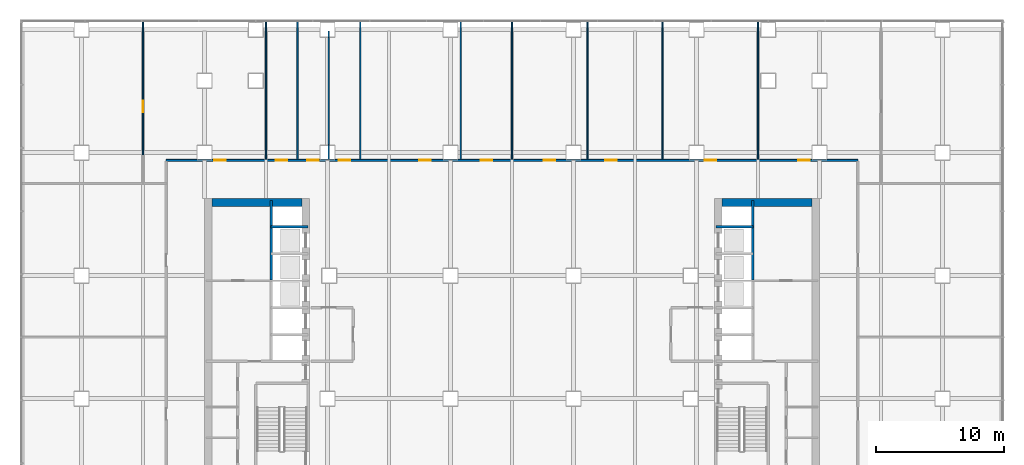
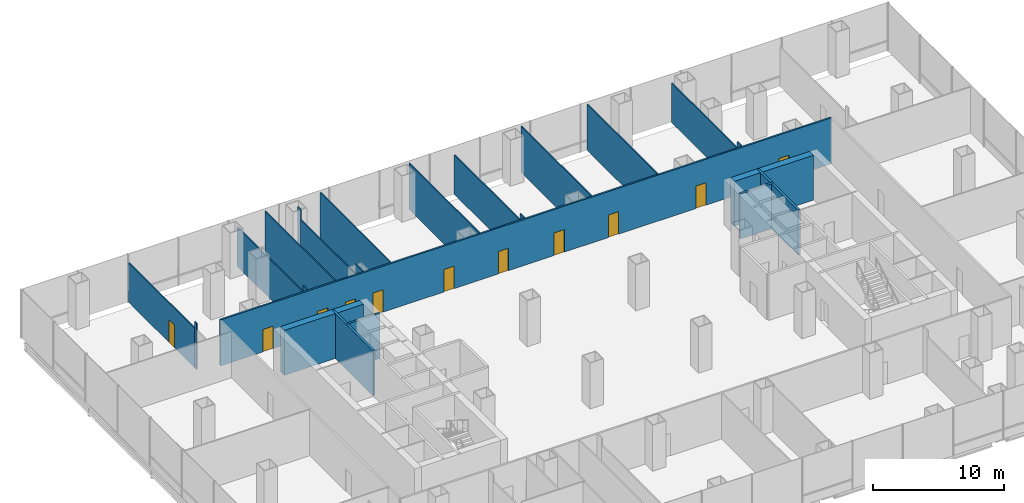
# One storey, part 19 of 23: 23 walls, 11 doors, 11 openings.
"""IFC4 building model written with IfcOpenShell, lengths in metres."""

from ifc_helpers import new_model, si_unit, direction, frame, frame_2d, origin, place, context, subcontext, project, spatial, rectangle, extrude, material, layer, layer_set, type_object, element, fill, save


model = new_model("IFC4")

# Units and contexts
model_context = context("Model", 3, precision=1e-05, world=origin(), true_north=direction((0.0, 1.0)))
body_context = subcontext(model_context, "Body", "Model", "MODEL_VIEW")
ifc_project = project(units=[si_unit("LENGTHUNIT", "METRE"), si_unit("AREAUNIT", "SQUARE_METRE"), si_unit("VOLUMEUNIT", "CUBIC_METRE"), si_unit("PLANEANGLEUNIT", "RADIAN"), si_unit("MASSUNIT", "GRAM", prefix="KILO")], contexts=[model_context])

# Site, building, storey
site_placement = place(None, origin())
site = spatial("IfcSite", under=ifc_project, at=site_placement, CompositionType="ELEMENT")
building_placement = place(site_placement, origin())
building = spatial("IfcBuilding", under=site, at=building_placement, Name="Cobrizo Arcos Hotel Tower", CompositionType="ELEMENT")
storey_placement = place(building_placement, frame((0.0, 0.0, 20.0)))
storey = spatial("IfcBuildingStorey", under=building, at=storey_placement, Name="L03", CompositionType="ELEMENT", Elevation=20.0)

# Wall, openings, doors
ifc_material_1 = material(Name="Gypsum board partition")
ifc_layer_1 = layer(ifc_material_1, 0.14990234375)
ifc_layer_set_1 = layer_set([ifc_layer_1], Name="Corridor wall EI 60 150")
wall_type_1 = type_object("IfcWallType", Name="Corridor wall EI 60 150", PredefinedType="PARTITIONING", material=ifc_layer_set_1)
wall_1_placement = place(storey_placement, frame((-27.0, 13.800048828125, 0.0), z_axis=(0.0, 0.0, 1.0), x_axis=(1.0, 0.0, 0.0)))
wall_1 = element("IfcWall", 1, at=wall_1_placement, inside=storey, type_object=wall_type_1, Name="Partition 031", PredefinedType="PARTITIONING", context=body_context, shape_type="SweptSolid", body=[
    extrude(rectangle(XDim=54.0, YDim=0.14990234375, at=frame_2d((27.0, 0.0))), origin(), (0.0, 0.0, 1.0), 4.300048828125),
])
opening_1_placement = place(wall_1_placement, frame((8.575927734375, 0.0, 0.0)))
opening_1 = element("IfcOpeningElement", 2, at=opening_1_placement, cuts=wall_1, Name="Opening RD-12", PredefinedType="OPENING", context=body_context, shape_type="SweptSolid", body=[
    extrude(rectangle(XDim=0.89990234375, YDim=2.10009765625, at=frame_2d((0.449951171875, 1.050048828125))), frame((0.0, 0.0869140625, 0.0), z_axis=(0.0, -1.0, 0.0), x_axis=(1.0, 0.0, 0.0)), (0.0, 0.0, 1.0), 0.173828125),
])
opening_2_placement = place(wall_1_placement, frame((11.027099609375, 0.0, 0.0)))
opening_2 = element("IfcOpeningElement", 3, at=opening_2_placement, cuts=wall_1, Name="Opening RD-13", PredefinedType="OPENING", context=body_context, shape_type="SweptSolid", body=[
    extrude(rectangle(XDim=0.89990234375, YDim=2.10009765625, at=frame_2d((0.449951171875, 1.050048828125))), frame((0.0, 0.0869140625, 0.0), z_axis=(0.0, -1.0, 0.0), x_axis=(1.0, 0.0, 0.0)), (0.0, 0.0, 1.0), 0.173828125),
])
opening_3_placement = place(wall_1_placement, frame((13.47802734375, 0.0, 0.0)))
opening_3 = element("IfcOpeningElement", 4, at=opening_3_placement, cuts=wall_1, Name="Opening RD-14", PredefinedType="OPENING", context=body_context, shape_type="SweptSolid", body=[
    extrude(rectangle(XDim=0.89990234375, YDim=2.10009765625, at=frame_2d((0.449951171875, 1.050048828125))), frame((0.0, 0.0869140625, 0.0), z_axis=(0.0, -1.0, 0.0), x_axis=(1.0, 0.0, 0.0)), (0.0, 0.0, 1.0), 0.173828125),
])
opening_4_placement = place(wall_1_placement, frame((19.748046875, 0.0, 0.0)))
opening_4 = element("IfcOpeningElement", 5, at=opening_4_placement, cuts=wall_1, Name="Opening RD-15", PredefinedType="OPENING", context=body_context, shape_type="SweptSolid", body=[
    extrude(rectangle(XDim=0.89990234375, YDim=2.10009765625, at=frame_2d((0.449951171875, 1.050048828125))), frame((0.0, 0.0869140625, 0.0), z_axis=(0.0, -1.0, 0.0), x_axis=(1.0, 0.0, 0.0)), (0.0, 0.0, 1.0), 0.173828125),
])
opening_5_placement = place(wall_1_placement, frame((29.490966796875, 0.0, 0.0)))
opening_5 = element("IfcOpeningElement", 6, at=opening_5_placement, cuts=wall_1, Name="Opening RD-16", PredefinedType="OPENING", context=body_context, shape_type="SweptSolid", body=[
    extrude(rectangle(XDim=0.89990234375, YDim=2.10009765625, at=frame_2d((0.449951171875, 1.050048828125))), frame((0.0, 0.0869140625, 0.0), z_axis=(0.0, -1.0, 0.0), x_axis=(1.0, 0.0, 0.0)), (0.0, 0.0, 1.0), 0.173828125),
])
opening_6_placement = place(wall_1_placement, frame((34.291015625, 0.0, 0.0)))
opening_6 = element("IfcOpeningElement", 7, at=opening_6_placement, cuts=wall_1, Name="Opening RD-17", PredefinedType="OPENING", context=body_context, shape_type="SweptSolid", body=[
    extrude(rectangle(XDim=0.89990234375, YDim=2.10009765625, at=frame_2d((0.449951171875, 1.050048828125))), frame((0.0, 0.0869140625, 0.0), z_axis=(0.0, -1.0, 0.0), x_axis=(1.0, 0.0, 0.0)), (0.0, 0.0, 1.0), 0.173828125),
])
opening_7_placement = place(wall_1_placement, frame((42.031982421875, 0.0, 0.0)))
opening_7 = element("IfcOpeningElement", 8, at=opening_7_placement, cuts=wall_1, Name="Opening RD-18", PredefinedType="OPENING", context=body_context, shape_type="SweptSolid", body=[
    extrude(rectangle(XDim=0.89990234375, YDim=2.10009765625, at=frame_2d((0.449951171875, 1.050048828125))), frame((0.0, 0.0869140625, 0.0), z_axis=(0.0, -1.0, 0.0), x_axis=(1.0, 0.0, 0.0)), (0.0, 0.0, 1.0), 0.173828125),
])
opening_8_placement = place(wall_1_placement, frame((24.548095703125, 0.0, 0.0)))
opening_8 = element("IfcOpeningElement", 9, at=opening_8_placement, cuts=wall_1, Name="Opening RD-20", PredefinedType="OPENING", context=body_context, shape_type="SweptSolid", body=[
    extrude(rectangle(XDim=0.89990234375, YDim=2.10009765625, at=frame_2d((0.449951171875, 1.050048828125))), frame((0.0, 0.0869140625, 0.0), z_axis=(0.0, -1.0, 0.0), x_axis=(1.0, 0.0, 0.0)), (0.0, 0.0, 1.0), 0.173828125),
])
opening_9_placement = place(wall_1_placement, frame((3.75, 0.0, 0.0)))
opening_9 = element("IfcOpeningElement", 10, at=opening_9_placement, cuts=wall_1, Name="Opening RD-25", PredefinedType="OPENING", context=body_context, shape_type="SweptSolid", body=[
    extrude(rectangle(XDim=0.89990234375, YDim=2.10009765625, at=frame_2d((0.449951171875, 1.050048828125))), frame((0.0, 0.0869140625, 0.0), z_axis=(0.0, -1.0, 0.0), x_axis=(1.0, 0.0, 0.0)), (0.0, 0.0, 1.0), 0.173828125),
])
opening_10_placement = place(wall_1_placement, frame((49.35009765625, 0.0, 0.0)))
opening_10 = element("IfcOpeningElement", 11, at=opening_10_placement, cuts=wall_1, Name="Opening RD-29", PredefinedType="OPENING", context=body_context, shape_type="SweptSolid", body=[
    extrude(rectangle(XDim=0.89990234375, YDim=2.10009765625, at=frame_2d((0.449951171875, 1.050048828125))), frame((0.0, 0.0869140625, 0.0), z_axis=(0.0, -1.0, 0.0), x_axis=(1.0, 0.0, 0.0)), (0.0, 0.0, 1.0), 0.173828125),
])
ifc_material_2 = material(Name="Timber door leaf", Category="wood")
door_type = type_object("IfcDoorType", Name="Room door FD30 900x2100", OperationType="SINGLE_SWING_LEFT", PredefinedType="DOOR", material=ifc_material_2)
door_1_placement = place(opening_1_placement, origin())
door_1 = element("IfcDoor", 12, at=door_1_placement, inside=storey, type_object=door_type, Name="Door RD-12", OperationType="SINGLE_SWING_LEFT", OverallHeight=2.10009765625, OverallWidth=0.89990234375, PredefinedType="DOOR", context=body_context, shape_type="SweptSolid", body=[
    extrude(rectangle(XDim=0.89990234375, YDim=2.10009765625, at=frame_2d((0.449951171875, 1.050048828125))), frame((0.0, 0.02490234375, 0.0), z_axis=(0.0, -1.0, 0.0), x_axis=(1.0, 0.0, 0.0)), (0.0, 0.0, 1.0), 0.050048828125),
])
fill(opening_1, door_1)
door_2_placement = place(opening_2_placement, origin())
door_2 = element("IfcDoor", 13, at=door_2_placement, inside=storey, type_object=door_type, Name="Door RD-13", OperationType="SINGLE_SWING_LEFT", OverallHeight=2.10009765625, OverallWidth=0.89990234375, PredefinedType="DOOR", context=body_context, shape_type="SweptSolid", body=[
    extrude(rectangle(XDim=0.89990234375, YDim=2.10009765625, at=frame_2d((0.449951171875, 1.050048828125))), frame((0.0, 0.02490234375, 0.0), z_axis=(0.0, -1.0, 0.0), x_axis=(1.0, 0.0, 0.0)), (0.0, 0.0, 1.0), 0.050048828125),
])
fill(opening_2, door_2)
door_3_placement = place(opening_3_placement, origin())
door_3 = element("IfcDoor", 14, at=door_3_placement, inside=storey, type_object=door_type, Name="Door RD-14", OperationType="SINGLE_SWING_LEFT", OverallHeight=2.10009765625, OverallWidth=0.89990234375, PredefinedType="DOOR", context=body_context, shape_type="SweptSolid", body=[
    extrude(rectangle(XDim=0.89990234375, YDim=2.10009765625, at=frame_2d((0.449951171875, 1.050048828125))), frame((0.0, 0.02490234375, 0.0), z_axis=(0.0, -1.0, 0.0), x_axis=(1.0, 0.0, 0.0)), (0.0, 0.0, 1.0), 0.050048828125),
])
fill(opening_3, door_3)
door_4_placement = place(opening_4_placement, origin())
door_4 = element("IfcDoor", 15, at=door_4_placement, inside=storey, type_object=door_type, Name="Door RD-15", OperationType="SINGLE_SWING_RIGHT", OverallHeight=2.10009765625, OverallWidth=0.89990234375, PredefinedType="DOOR", context=body_context, shape_type="SweptSolid", body=[
    extrude(rectangle(XDim=0.89990234375, YDim=2.10009765625, at=frame_2d((0.449951171875, 1.050048828125))), frame((0.0, 0.02490234375, 0.0), z_axis=(0.0, -1.0, 0.0), x_axis=(1.0, 0.0, 0.0)), (0.0, 0.0, 1.0), 0.050048828125),
])
fill(opening_4, door_4)
door_5_placement = place(opening_5_placement, origin())
door_5 = element("IfcDoor", 16, at=door_5_placement, inside=storey, type_object=door_type, Name="Door RD-16", OperationType="SINGLE_SWING_LEFT", OverallHeight=2.10009765625, OverallWidth=0.89990234375, PredefinedType="DOOR", context=body_context, shape_type="SweptSolid", body=[
    extrude(rectangle(XDim=0.89990234375, YDim=2.10009765625, at=frame_2d((0.449951171875, 1.050048828125))), frame((0.0, 0.02490234375, 0.0), z_axis=(0.0, -1.0, 0.0), x_axis=(1.0, 0.0, 0.0)), (0.0, 0.0, 1.0), 0.050048828125),
])
fill(opening_5, door_5)
door_6_placement = place(opening_6_placement, origin())
door_6 = element("IfcDoor", 17, at=door_6_placement, inside=storey, type_object=door_type, Name="Door RD-17", OperationType="SINGLE_SWING_LEFT", OverallHeight=2.10009765625, OverallWidth=0.89990234375, PredefinedType="DOOR", context=body_context, shape_type="SweptSolid", body=[
    extrude(rectangle(XDim=0.89990234375, YDim=2.10009765625, at=frame_2d((0.449951171875, 1.050048828125))), frame((0.0, 0.02490234375, 0.0), z_axis=(0.0, -1.0, 0.0), x_axis=(1.0, 0.0, 0.0)), (0.0, 0.0, 1.0), 0.050048828125),
])
fill(opening_6, door_6)
door_7_placement = place(opening_7_placement, origin())
door_7 = element("IfcDoor", 18, at=door_7_placement, inside=storey, type_object=door_type, Name="Door RD-18", OperationType="SINGLE_SWING_RIGHT", OverallHeight=2.10009765625, OverallWidth=0.89990234375, PredefinedType="DOOR", context=body_context, shape_type="SweptSolid", body=[
    extrude(rectangle(XDim=0.89990234375, YDim=2.10009765625, at=frame_2d((0.449951171875, 1.050048828125))), frame((0.0, 0.02490234375, 0.0), z_axis=(0.0, -1.0, 0.0), x_axis=(1.0, 0.0, 0.0)), (0.0, 0.0, 1.0), 0.050048828125),
])
fill(opening_7, door_7)
door_8_placement = place(opening_8_placement, origin())
door_8 = element("IfcDoor", 19, at=door_8_placement, inside=storey, type_object=door_type, Name="Door RD-20", OperationType="SINGLE_SWING_RIGHT", OverallHeight=2.10009765625, OverallWidth=0.89990234375, PredefinedType="DOOR", context=body_context, shape_type="SweptSolid", body=[
    extrude(rectangle(XDim=0.89990234375, YDim=2.10009765625, at=frame_2d((0.449951171875, 1.050048828125))), frame((0.0, 0.02490234375, 0.0), z_axis=(0.0, -1.0, 0.0), x_axis=(1.0, 0.0, 0.0)), (0.0, 0.0, 1.0), 0.050048828125),
])
fill(opening_8, door_8)
door_9_placement = place(opening_9_placement, origin())
door_9 = element("IfcDoor", 20, at=door_9_placement, inside=storey, type_object=door_type, Name="Door RD-25", OperationType="SINGLE_SWING_LEFT", OverallHeight=2.10009765625, OverallWidth=0.89990234375, PredefinedType="DOOR", context=body_context, shape_type="SweptSolid", body=[
    extrude(rectangle(XDim=0.89990234375, YDim=2.10009765625, at=frame_2d((0.449951171875, 1.050048828125))), frame((0.0, 0.02490234375, 0.0), z_axis=(0.0, -1.0, 0.0), x_axis=(1.0, 0.0, 0.0)), (0.0, 0.0, 1.0), 0.050048828125),
])
fill(opening_9, door_9)
door_10_placement = place(opening_10_placement, origin())
door_10 = element("IfcDoor", 21, at=door_10_placement, inside=storey, type_object=door_type, Name="Door RD-29", OperationType="SINGLE_SWING_LEFT", OverallHeight=2.10009765625, OverallWidth=0.89990234375, PredefinedType="DOOR", context=body_context, shape_type="SweptSolid", body=[
    extrude(rectangle(XDim=0.89990234375, YDim=2.10009765625, at=frame_2d((0.449951171875, 1.050048828125))), frame((0.0, 0.02490234375, 0.0), z_axis=(0.0, -1.0, 0.0), x_axis=(1.0, 0.0, 0.0)), (0.0, 0.0, 1.0), 0.050048828125),
])
fill(opening_10, door_10)

# Wall
ifc_layer_2 = layer(ifc_material_1, 0.10009765625)
ifc_layer_set_2 = layer_set([ifc_layer_2], Name="Partition EI 30 100")
wall_type_2 = type_object("IfcWallType", Name="Partition EI 30 100", PredefinedType="PARTITIONING", material=ifc_layer_set_2)
wall_2_placement = place(storey_placement, frame((-28.800048828125, 14.24609375, 0.0), z_axis=(0.0, 0.0, 1.0), x_axis=(0.0, 1.0, 0.0)))
element("IfcWall", 22, at=wall_2_placement, inside=storey, type_object=wall_type_2, Name="Partition 036", PredefinedType="PARTITIONING", context=body_context, shape_type="SweptSolid", body=[
    extrude(rectangle(XDim=0.307861328125, YDim=0.10009765625, at=frame_2d((0.15380859375, 0.0))), origin(), (0.0, 0.0, 1.0), 4.300048828125),
])

# Wall, opening, door
wall_3_placement = place(storey_placement, frame((-28.800048828125, 14.5537109375, 0.0), z_axis=(0.0, 0.0, 1.0), x_axis=(0.0, 1.0, 0.0)))
wall_3 = element("IfcWall", 23, at=wall_3_placement, inside=storey, type_object=wall_type_2, Name="Partition 037", PredefinedType="PARTITIONING", context=body_context, shape_type="SweptSolid", body=[
    extrude(rectangle(XDim=10.076171875, YDim=0.10009765625, at=frame_2d((5.0380859375, 0.0))), origin(), (0.0, 0.0, 1.0), 3.68310546875),
])
opening_11_placement = place(wall_3_placement, frame((2.99609375, 0.0, 0.0)))
opening_11 = element("IfcOpeningElement", 24, at=opening_11_placement, cuts=wall_3, Name="Opening RD-33", PredefinedType="OPENING", context=body_context, shape_type="SweptSolid", body=[
    extrude(rectangle(XDim=0.89990234375, YDim=2.10009765625, at=frame_2d((0.449951171875, 1.050048828125))), frame((0.0, 0.06201171875, 0.0), z_axis=(0.0, -1.0, 0.0), x_axis=(1.0, 0.0, 0.0)), (0.0, 0.0, 1.0), 0.1240234375),
])
door_11_placement = place(opening_11_placement, origin())
door_11 = element("IfcDoor", 25, at=door_11_placement, inside=storey, type_object=door_type, Name="Door RD-33", OperationType="SINGLE_SWING_RIGHT", OverallHeight=2.10009765625, OverallWidth=0.89990234375, PredefinedType="DOOR", context=body_context, shape_type="SweptSolid", body=[
    extrude(rectangle(XDim=0.89990234375, YDim=2.10009765625, at=frame_2d((0.449951171875, 1.050048828125))), frame((0.0, 0.02490234375, 0.0), z_axis=(0.0, -1.0, 0.0), x_axis=(1.0, 0.0, 0.0)), (0.0, 0.0, 1.0), 0.050048828125),
])
fill(opening_11, door_11)

# Walls
wall_4_placement = place(storey_placement, frame((-19.199951171875, 13.875, 0.0), z_axis=(0.0, 0.0, 1.0), x_axis=(0.0, 1.0, 0.0)))
element("IfcWall", 26, at=wall_4_placement, inside=storey, type_object=wall_type_2, Name="Partition 043", PredefinedType="PARTITIONING", context=body_context, shape_type="SweptSolid", body=[
    extrude(rectangle(XDim=0.678955078125, YDim=0.10009765625, at=frame_2d((0.33935546875, 0.0))), origin(), (0.0, 0.0, 1.0), 4.300048828125),
])
wall_5_placement = place(storey_placement, frame((-19.199951171875, 14.5537109375, 0.0), z_axis=(0.0, 0.0, 1.0), x_axis=(0.0, 1.0, 0.0)))
element("IfcWall", 27, at=wall_5_placement, inside=storey, type_object=wall_type_2, Name="Partition 044", PredefinedType="PARTITIONING", context=body_context, shape_type="SweptSolid", body=[
    extrude(rectangle(XDim=10.076171875, YDim=0.10009765625, at=frame_2d((5.0380859375, 0.0))), origin(), (0.0, 0.0, 1.0), 3.68310546875),
])
wall_6_placement = place(storey_placement, frame((-16.75, 13.875, 0.0), z_axis=(0.0, 0.0, 1.0), x_axis=(0.0, 1.0, 0.0)))
element("IfcWall", 28, at=wall_6_placement, inside=storey, type_object=wall_type_2, Name="Partition 047", PredefinedType="PARTITIONING", context=body_context, shape_type="SweptSolid", body=[
    extrude(rectangle(XDim=10.7548828125, YDim=0.10009765625, at=frame_2d((5.37744140625, 0.0))), origin(), (0.0, 0.0, 1.0), 4.300048828125),
])
wall_7_placement = place(storey_placement, frame((-14.300048828125, 13.875, 0.0), z_axis=(0.0, 0.0, 1.0), x_axis=(0.0, 1.0, 0.0)))
element("IfcWall", 29, at=wall_7_placement, inside=storey, type_object=wall_type_2, Name="Partition 049", PredefinedType="PARTITIONING", context=body_context, shape_type="SweptSolid", body=[
    extrude(rectangle(XDim=1.125, YDim=0.10009765625, at=frame_2d((0.5625, 0.0))), origin(), (0.0, 0.0, 1.0), 4.300048828125),
])
wall_8_placement = place(storey_placement, frame((-14.300048828125, 15.0, 0.0), z_axis=(0.0, 0.0, 1.0), x_axis=(0.0, 1.0, 0.0)))
element("IfcWall", 30, at=wall_8_placement, inside=storey, type_object=wall_type_2, Name="Partition 050", PredefinedType="PARTITIONING", context=body_context, shape_type="SweptSolid", body=[
    extrude(rectangle(XDim=8.39990234375, YDim=0.10009765625, at=frame_2d((4.199951171875, 0.0))), origin(), (0.0, 0.0, 1.0), 3.373046875),
])
wall_9_placement = place(storey_placement, frame((-14.300048828125, 23.39990234375, 0.0), z_axis=(0.0, 0.0, 1.0), x_axis=(0.0, 1.0, 0.0)))
element("IfcWall", 31, at=wall_9_placement, inside=storey, type_object=wall_type_2, Name="Partition 051", PredefinedType="PARTITIONING", context=body_context, shape_type="SweptSolid", body=[
    extrude(rectangle(XDim=0.47998046875, YDim=0.10009765625, at=frame_2d((0.239990234375, 0.0))), origin(), (0.0, 0.0, 1.0), 4.300048828125),
])
for number, where, z_axis, x_axis, name in (
    (32, (-11.85009765625, 13.875, 0.0), (0.0, 0.0, 1.0), (0.0, 1.0, 0.0), "Partition 055"),
    (33, (-4.0, 13.875, 0.0), (0.0, 0.0, 1.0), (0.0, 1.0, 0.0), "Partition 059"),
):
    element("IfcWall", number, at=place(storey_placement, frame(where, z_axis=z_axis, x_axis=x_axis)), inside=storey, type_object=wall_type_2, Name=name, PredefinedType="PARTITIONING", context=body_context, shape_type="SweptSolid", body=[
        extrude(rectangle(XDim=10.7548828125, YDim=0.10009765625, at=frame_2d((5.37744140625, 0.0))), origin(), (0.0, 0.0, 1.0), 4.300048828125),
    ])
wall_10_placement = place(storey_placement, frame((0.0, 13.875, 0.0), z_axis=(0.0, 0.0, 1.0), x_axis=(0.0, 1.0, 0.0)))
element("IfcWall", 34, at=wall_10_placement, inside=storey, type_object=wall_type_2, Name="Partition 060", PredefinedType="PARTITIONING", context=body_context, shape_type="SweptSolid", body=[
    extrude(rectangle(XDim=0.678955078125, YDim=0.10009765625, at=frame_2d((0.33935546875, 0.0))), origin(), (0.0, 0.0, 1.0), 4.300048828125),
])
wall_11_placement = place(storey_placement, frame((0.0, 14.5537109375, 0.0), z_axis=(0.0, 0.0, 1.0), x_axis=(0.0, 1.0, 0.0)))
element("IfcWall", 35, at=wall_11_placement, inside=storey, type_object=wall_type_2, Name="Partition 061", PredefinedType="PARTITIONING", context=body_context, shape_type="SweptSolid", body=[
    extrude(rectangle(XDim=10.076171875, YDim=0.10009765625, at=frame_2d((5.0380859375, 0.0))), origin(), (0.0, 0.0, 1.0), 3.68310546875),
])
for number, where, z_axis, x_axis, name in (
    (36, (5.89990234375, 13.875, 0.0), (0.0, 0.0, 1.0), (0.0, 1.0, 0.0), "Partition 064"),
    (37, (11.75, 13.875, 0.0), (0.0, 0.0, 1.0), (0.0, 1.0, 0.0), "Partition 065"),
):
    element("IfcWall", number, at=place(storey_placement, frame(where, z_axis=z_axis, x_axis=x_axis)), inside=storey, type_object=wall_type_2, Name=name, PredefinedType="PARTITIONING", context=body_context, shape_type="SweptSolid", body=[
        extrude(rectangle(XDim=10.7548828125, YDim=0.10009765625, at=frame_2d((5.37744140625, 0.0))), origin(), (0.0, 0.0, 1.0), 4.300048828125),
    ])
wall_12_placement = place(storey_placement, frame((19.199951171875, 13.875, 0.0), z_axis=(0.0, 0.0, 1.0), x_axis=(0.0, 1.0, 0.0)))
element("IfcWall", 38, at=wall_12_placement, inside=storey, type_object=wall_type_2, Name="Partition 071", PredefinedType="PARTITIONING", context=body_context, shape_type="SweptSolid", body=[
    extrude(rectangle(XDim=0.678955078125, YDim=0.10009765625, at=frame_2d((0.33935546875, 0.0))), origin(), (0.0, 0.0, 1.0), 4.300048828125),
])
wall_13_placement = place(storey_placement, frame((19.199951171875, 14.5537109375, 0.0), z_axis=(0.0, 0.0, 1.0), x_axis=(0.0, 1.0, 0.0)))
element("IfcWall", 39, at=wall_13_placement, inside=storey, type_object=wall_type_2, Name="Partition 072", PredefinedType="PARTITIONING", context=body_context, shape_type="SweptSolid", body=[
    extrude(rectangle(XDim=10.076171875, YDim=0.10009765625, at=frame_2d((5.0380859375, 0.0))), origin(), (0.0, 0.0, 1.0), 3.68310546875),
])
ifc_material_3 = material(Name="Concrete f'c 60 MPa", Category="concrete")
ifc_layer_3 = layer(ifc_material_3, 0.60009765625)
ifc_layer_set_3 = layer_set([ifc_layer_3], Name="RC core wall 600 f'c 60")
wall_type_3 = type_object("IfcWallType", Name="RC core wall 600 f'c 60", PredefinedType="SHEAR", material=ifc_layer_set_3)
for number, where, z_axis, x_axis, name in (
    (40, (16.39990234375, 10.5, 0.0), (0.0, 0.0, 1.0), (1.0, 0.0, 0.0), "Core wall CW1, east core, north end, L03"),
    (41, (-23.39990234375, 10.5, 0.0), (0.0, 0.0, 1.0), (1.0, 0.0, 0.0), "Core wall CW1, west core, north end, L03"),
):
    element("IfcWall", number, at=place(storey_placement, frame(where, z_axis=z_axis, x_axis=x_axis)), inside=storey, type_object=wall_type_3, Name=name, PredefinedType="SHEAR", context=body_context, shape_type="SweptSolid", body=[
        extrude(rectangle(XDim=7.0, YDim=0.60009765625, at=frame_2d((3.5, 0.0))), origin(), (0.0, 0.0, 1.0), 4.199951171875),
    ])
ifc_layer_4 = layer(ifc_material_1, 0.199951171875)
ifc_layer_set_4 = layer_set([ifc_layer_4], Name="Shaft wall EI 120 200")
wall_type_4 = type_object("IfcWallType", Name="Shaft wall EI 120 200", PredefinedType="PARTITIONING", material=ifc_layer_set_4)
for number, where, z_axis, x_axis, name in (
    (42, (-18.800048828125, 8.60009765625, 0.0), (0.0, 0.0, 1.0), (1.0, 0.0, 0.0), "Partition 027"),
    (43, (15.919921875, 8.60009765625, 0.0), (0.0, 0.0, 1.0), (1.0, 0.0, 0.0), "Partition 028"),
):
    element("IfcWall", number, at=place(storey_placement, frame(where, z_axis=z_axis, x_axis=x_axis)), inside=storey, type_object=wall_type_4, Name=name, PredefinedType="PARTITIONING", context=body_context, shape_type="SweptSolid", body=[
        extrude(rectangle(XDim=2.880126953125, YDim=0.199951171875, at=frame_2d((1.43994140625, 0.0))), origin(), (0.0, 0.0, 1.0), 4.199951171875),
    ])
for number, where, z_axis, x_axis, name in (
    (44, (-18.800048828125, 4.449951171875, 0.0), (0.0, 0.0, 1.0), (0.0, 1.0, 0.0), "Partition 046"),
    (45, (18.800048828125, 4.449951171875, 0.0), (0.0, 0.0, 1.0), (0.0, 1.0, 0.0), "Partition 068"),
):
    element("IfcWall", number, at=place(storey_placement, frame(where, z_axis=z_axis, x_axis=x_axis)), inside=storey, type_object=wall_type_4, Name=name, PredefinedType="PARTITIONING", context=body_context, shape_type="SweptSolid", body=[
        extrude(rectangle(XDim=6.22998046875, YDim=0.199951171875, at=frame_2d((3.114990234375, 0.0))), origin(), (0.0, 0.0, 1.0), 4.199951171875),
    ])

save(model, "model.ifc")
